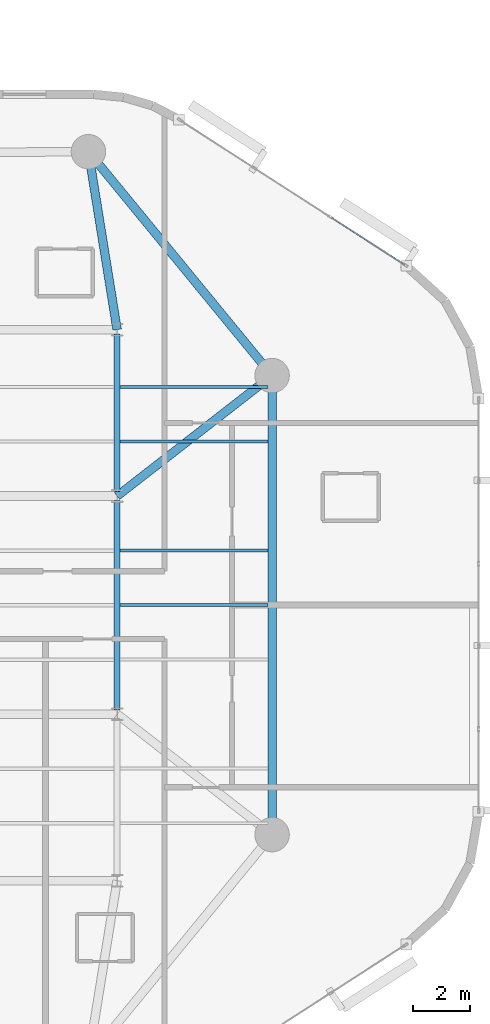
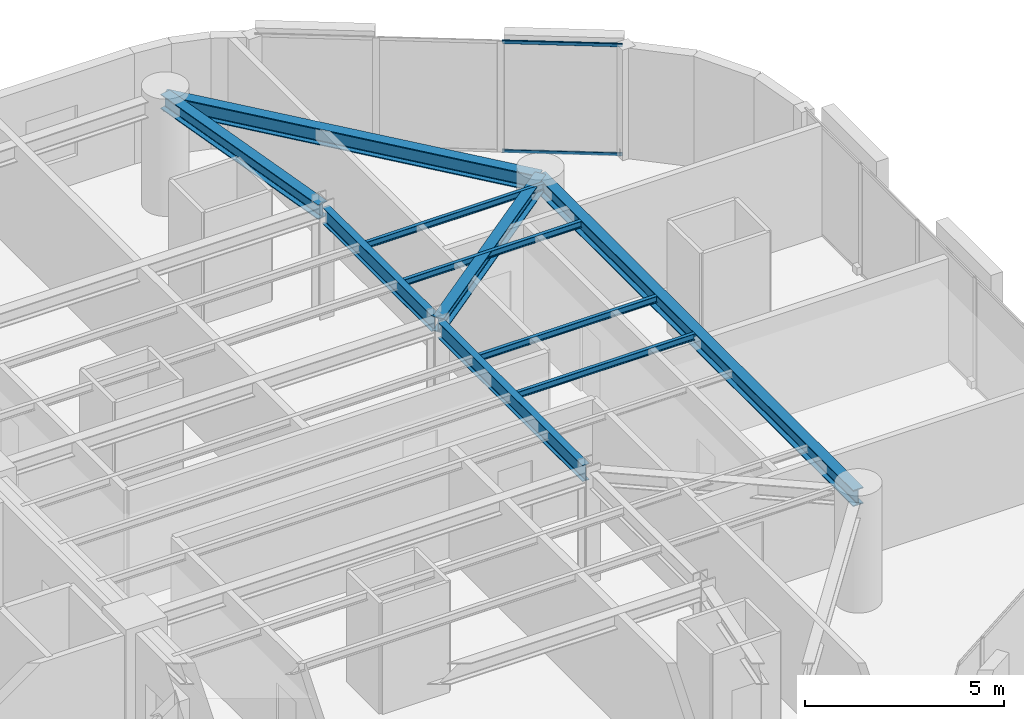
# One storey, part 4 of 15: 10 beams, 2 members, 1 element without a shape of its own.
"""IFC4 building model written with IfcOpenShell, lengths in metres."""

from ifc_helpers import new_model, si_unit, direction, frame, origin, origin_2d, place, context, subcontext, project, spatial, hollow_rectangle, i_section, extrude, material, layer, layer_set, material_profile, profile_set, type_object, element, aggregate, save


model = new_model("IFC4")

# Units and contexts
model_context = context("Model", 3, precision=1e-05, world=origin(), true_north=direction((0.0, 1.0)))
body_context = subcontext(model_context, "Body", "Model", "MODEL_VIEW")
ifc_project = project(units=[si_unit("LENGTHUNIT", "METRE"), si_unit("AREAUNIT", "SQUARE_METRE"), si_unit("VOLUMEUNIT", "CUBIC_METRE"), si_unit("PLANEANGLEUNIT", "RADIAN"), si_unit("MASSUNIT", "GRAM", prefix="KILO")], contexts=[model_context])

# Site, building, storey
site_placement = place(None, origin())
site = spatial("IfcSite", under=ifc_project, at=site_placement, CompositionType="ELEMENT")
building_placement = place(site_placement, origin())
building = spatial("IfcBuilding", under=site, at=building_placement, Name="An Khanh Terracotta Commons", CompositionType="ELEMENT")
storey_placement = place(building_placement, frame((0.0, 0.0, 143.800048828125)))
storey = spatial("IfcBuildingStorey", under=building, at=storey_placement, Name="L37", CompositionType="ELEMENT", Elevation=143.800048828125)

# Beams
ifc_material_1 = material(Name="Steel S355J2", Category="steel")
ifc_material_profile_1 = material_profile(ifc_material_1, i_section(OverallWidth=0.300048828125, OverallDepth=0.449951171875, WebThickness=0.013916015625, FlangeThickness=0.02587890625, FilletRadius=0.027099609375, at=origin_2d()), Name="HEB450")
ifc_profile_set_1 = profile_set([ifc_material_profile_1], Name="Steel S355J2")
beam_type_1 = type_object("IfcBeamType", Name="BM-HEB450", PredefinedType="BEAM", material=ifc_profile_set_1)
beam_1_placement = place(storey_placement, frame((55.800048828125, 32.0, 3.175048828125), z_axis=(-0.789363746927, -0.61392578952, 0.0), x_axis=(0.61392578952, -0.789363746927, 0.0)))
element("IfcBeam", 1, at=beam_1_placement, inside=storey, type_object=beam_type_1, Name="L37 Mega-Column Tie Girder 4", PredefinedType="BEAM", context=body_context, shape_type="SweptSolid", body=[
    extrude(i_section(OverallWidth=0.300048828125, OverallDepth=0.449951171875, WebThickness=0.013916015625, FlangeThickness=0.02587890625, FilletRadius=0.027099609375, at=origin_2d()), origin(), (0.0, 0.0, 1.0), 6.841064453125),
])
beam_2_placement = place(storey_placement, frame((49.39990234375, 39.800048828125, 3.175048828125), z_axis=(0.159233661074, -0.987240923575, 0.0), x_axis=(0.987240923575, 0.159233661074, 0.0)))
element("IfcBeam", 2, at=beam_2_placement, inside=storey, type_object=beam_type_1, Name="L37 Mega-Column Tie Girder 5", PredefinedType="BEAM", context=body_context, shape_type="SweptSolid", body=[
    extrude(i_section(OverallWidth=0.300048828125, OverallDepth=0.449951171875, WebThickness=0.013916015625, FlangeThickness=0.02587890625, FilletRadius=0.027099609375, at=origin_2d()), origin(), (0.0, 0.0, 1.0), 6.280029296875),
])
ifc_material_profile_2 = material_profile(ifc_material_1, i_section(OverallWidth=0.300048828125, OverallDepth=0.5, WebThickness=0.014404296875, FlangeThickness=0.028076171875, FilletRadius=0.027099609375, at=origin_2d()), Name="HEB500")
ifc_profile_set_2 = profile_set([ifc_material_profile_2], Name="Steel S355J2")
beam_type_2 = type_object("IfcBeamType", Name="BM-HEB500", PredefinedType="BEAM", material=ifc_profile_set_2)
beam_3_placement = place(storey_placement, frame((55.800048828125, 16.0, 3.14990234375), z_axis=(0.0, 1.0, 0.0), x_axis=(-1.0, 0.0, 0.0)))
element("IfcBeam", 3, at=beam_3_placement, inside=storey, type_object=beam_type_2, Name="L37 Perimeter Ring Spandrel 3", PredefinedType="BEAM", context=body_context, shape_type="SweptSolid", body=[
    extrude(i_section(OverallWidth=0.300048828125, OverallDepth=0.5, WebThickness=0.014404296875, FlangeThickness=0.028076171875, FilletRadius=0.027099609375, at=origin_2d()), origin(), (0.0, 0.0, 1.0), 16.0),
])
beam_4_placement = place(storey_placement, frame((55.800048828125, 32.0, 3.14990234375), z_axis=(-0.634322915223, 0.7730681983, 0.0), x_axis=(-0.7730681983, -0.634322915223, 0.0)))
element("IfcBeam", 4, at=beam_4_placement, inside=storey, type_object=beam_type_2, Name="L37 Perimeter Ring Spandrel 4", PredefinedType="BEAM", context=body_context, shape_type="SweptSolid", body=[
    extrude(i_section(OverallWidth=0.300048828125, OverallDepth=0.5, WebThickness=0.014404296875, FlangeThickness=0.028076171875, FilletRadius=0.027099609375, at=origin_2d()), origin(), (0.0, 0.0, 1.0), 10.08984375),
])
ifc_material_profile_3 = material_profile(ifc_material_1, i_section(OverallWidth=0.10009765625, OverallDepth=0.199951171875, WebThickness=0.005615234375, FlangeThickness=0.008544921875, FilletRadius=0.011962890625, at=origin_2d()), Name="IPE200")
ifc_profile_set_3 = profile_set([ifc_material_profile_3], Name="Steel S355J2")
beam_type_3 = type_object("IfcBeamType", Name="BM-IPE200", PredefinedType="JOIST", material=ifc_profile_set_3)
for number, where, z_axis, x_axis, name in (
    (5, (50.5, 24.0, 3.300048828125), (1.0, 0.0, 0.0), (0.0, 1.0, 0.0), "L37 Riverfront Composite Joist 4"),
    (6, (50.5, 25.89990234375, 3.300048828125), (1.0, 0.0, 0.0), (0.0, 1.0, 0.0), "L37 Riverfront Composite Joist 5"),
    (7, (50.5, 29.699951171875, 3.300048828125), (1.0, 0.0, 0.0), (0.0, 1.0, 0.0), "L37 Riverfront Composite Joist 6"),
    (8, (50.5, 31.60009765625, 3.300048828125), (1.0, 0.0, 0.0), (0.0, 1.0, 0.0), "L37 Riverfront Composite Joist 7"),
):
    element("IfcBeam", number, at=place(storey_placement, frame(where, z_axis=z_axis, x_axis=x_axis)), inside=storey, type_object=beam_type_3, Name=name, PredefinedType="JOIST", context=body_context, shape_type="SweptSolid", body=[
        extrude(i_section(OverallWidth=0.10009765625, OverallDepth=0.199951171875, WebThickness=0.005615234375, FlangeThickness=0.008544921875, FilletRadius=0.011962890625, at=origin_2d()), origin(), (0.0, 0.0, 1.0), 5.14990234375),
    ])
ifc_material_profile_4 = material_profile(ifc_material_1, i_section(OverallWidth=0.199951171875, OverallDepth=0.5, WebThickness=0.01025390625, FlangeThickness=0.01611328125, FilletRadius=0.02099609375, at=origin_2d()), Name="IPE500")
ifc_profile_set_4 = profile_set([ifc_material_profile_4], Name="Steel S355J2")
beam_type_4 = type_object("IfcBeamType", Name="BM-IPE500", PredefinedType="BEAM", material=ifc_profile_set_4)
beam_5_placement = place(storey_placement, frame((50.39990234375, 20.35009765625, 3.14990234375), z_axis=(0.0, 1.0, 0.0), x_axis=(-1.0, 0.0, 0.0)))
element("IfcBeam", 9, at=beam_5_placement, inside=storey, type_object=beam_type_4, Name="L37 East Spine Girder 2", PredefinedType="BEAM", context=body_context, shape_type="SweptSolid", body=[
    extrude(i_section(OverallWidth=0.199951171875, OverallDepth=0.5, WebThickness=0.01025390625, FlangeThickness=0.01611328125, FilletRadius=0.02099609375, at=origin_2d()), origin(), (0.0, 0.0, 1.0), 7.2998046875),
])
beam_6_placement = place(storey_placement, frame((50.39990234375, 27.949951171875, 3.14990234375), z_axis=(0.0, 1.0, 0.0), x_axis=(-1.0, 0.0, 0.0)))
element("IfcBeam", 10, at=beam_6_placement, inside=storey, type_object=beam_type_4, Name="L37 East Spine Girder 3", PredefinedType="BEAM", context=body_context, shape_type="SweptSolid", body=[
    extrude(i_section(OverallWidth=0.199951171875, OverallDepth=0.5, WebThickness=0.01025390625, FlangeThickness=0.01611328125, FilletRadius=0.02099609375, at=origin_2d()), origin(), (0.0, 0.0, 1.0), 5.5),
])

# Curtain wall, members
ifc_material_2 = material(Name="Anodised Aluminium 6063-T6", Category="aluminium")
ifc_layer = layer(ifc_material_2, 0.2099609375, Name="Anodised Aluminium 6063-T6")
ifc_layer_set = layer_set([ifc_layer], Name="Anodised Aluminium 6063-T6")
curtain_wall_type = type_object("IfcCurtainWallType", Name="CW-SYS-03", PredefinedType="USERDEFINED", material=ifc_layer_set)
curtain_wall_placement = place(storey_placement, origin())
curtain_wall = element("IfcCurtainWall", 11, at=curtain_wall_placement, inside=storey, type_object=curtain_wall_type, Name="L37 CW-03 Unitised Curtain Wall CW-L37-16", ObjectType="UNITISED CURTAIN WALL", PredefinedType="USERDEFINED")
ifc_material_profile_5 = material_profile(ifc_material_2, hollow_rectangle(XDim=0.050048828125, YDim=0.10009765625, WallThickness=0.003173828125, InnerFilletRadius=0.003173828125, OuterFilletRadius=0.00634765625, at=origin_2d()), Name="RHS100x50x3.2")
ifc_profile_set_5 = profile_set([ifc_material_profile_5], Name="Anodised Aluminium 6063-T6")
member_type = type_object("IfcMemberType", Name="CWT-RHS100x50x3.2", PredefinedType="USERDEFINED", material=ifc_profile_set_5)
member_1_placement = place(storey_placement, frame((60.419189453125, 35.86181640625, 0.02490234375), z_axis=(-0.840673595852, 0.541542154626, 0.0), x_axis=(-0.541542154626, -0.840673595852, 0.0)))
member_1 = element("IfcMember", 12, at=member_1_placement, type_object=member_type, Name="CW-03 transom 1.1", ObjectType="TRANSOM", PredefinedType="USERDEFINED", context=body_context, shape_type="SweptSolid", body=[
    extrude(hollow_rectangle(XDim=0.050048828125, YDim=0.10009765625, WallThickness=0.003173828125, InnerFilletRadius=0.003173828125, OuterFilletRadius=0.00634765625, at=origin_2d()), origin(), (0.0, 0.0, 1.0), 3.034423828125),
])
member_2_placement = place(storey_placement, frame((60.419189453125, 35.86181640625, 3.375), z_axis=(-0.840673595852, 0.541542154626, 0.0), x_axis=(-0.541542154626, -0.840673595852, 0.0)))
member_2 = element("IfcMember", 13, at=member_2_placement, type_object=member_type, Name="CW-03 transom 1.2", ObjectType="TRANSOM", PredefinedType="USERDEFINED", context=body_context, shape_type="SweptSolid", body=[
    extrude(hollow_rectangle(XDim=0.050048828125, YDim=0.10009765625, WallThickness=0.003173828125, InnerFilletRadius=0.003173828125, OuterFilletRadius=0.00634765625, at=origin_2d()), origin(), (0.0, 0.0, 1.0), 3.034423828125),
])
aggregate(curtain_wall, [member_1, member_2])

save(model, "model.ifc")
